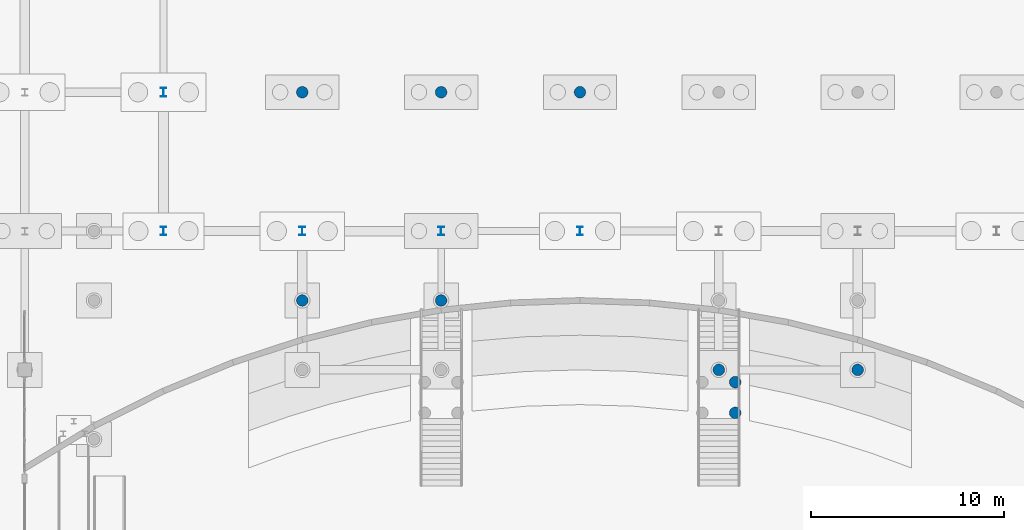
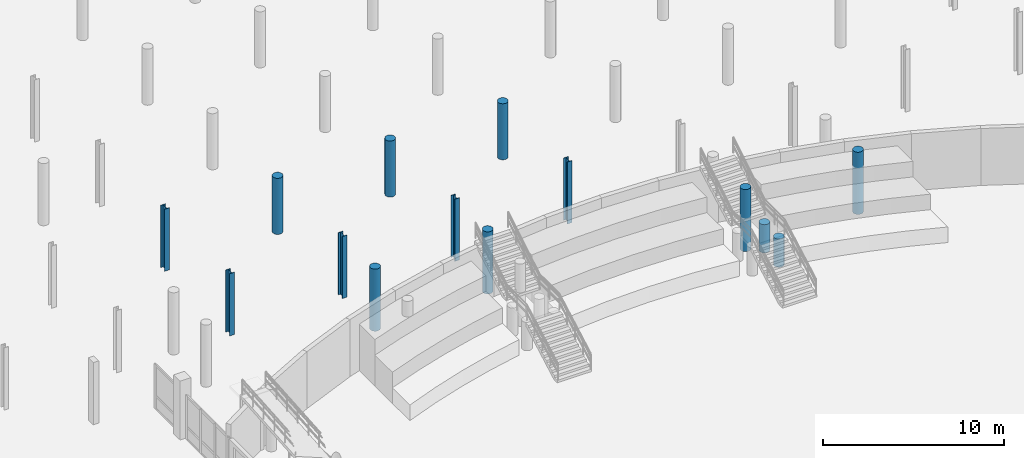
# One storey, part 23 of 56: 14 columns.
"""IFC4 building model written with IfcOpenShell, lengths in metres."""

from ifc_helpers import new_model, si_unit, direction, frame, origin, origin_2d, place, context, subcontext, project, spatial, circle, i_section, extrude, material, material_profile, profile_set, type_object, element, save


model = new_model("IFC4")

# Units and contexts
model_context = context("Model", 3, precision=1e-05, world=origin(), true_north=direction((0.0, 1.0)))
body_context = subcontext(model_context, "Body", "Model", "MODEL_VIEW")
ifc_project = project(units=[si_unit("LENGTHUNIT", "METRE"), si_unit("AREAUNIT", "SQUARE_METRE"), si_unit("VOLUMEUNIT", "CUBIC_METRE"), si_unit("PLANEANGLEUNIT", "RADIAN"), si_unit("MASSUNIT", "GRAM", prefix="KILO")], contexts=[model_context])

# Site, building, storey
site_placement = place(None, origin())
site = spatial("IfcSite", under=ifc_project, at=site_placement, CompositionType="ELEMENT")
building_placement = place(site_placement, origin())
building = spatial("IfcBuilding", under=site, at=building_placement, Name="Suanplinth Sawtooth Commons", CompositionType="ELEMENT")
storey_placement = place(building_placement, frame((0.0, 0.0, -4.199951171875)))
storey = spatial("IfcBuildingStorey", under=building, at=storey_placement, Name="B1", CompositionType="ELEMENT", Elevation=-4.199951171875)

# Columns
ifc_material_1 = material(Name="Concrete C40/50", Category="concrete")
ifc_material_profile_1 = material_profile(ifc_material_1, circle(Radius=0.300048828125, at=origin_2d()), Name="RC-CIRC D600")
ifc_profile_set_1 = profile_set([ifc_material_profile_1], Name="Concrete C40/50")
column_type_1 = type_object("IfcColumnType", Name="C-08", PredefinedType="COLUMN", material=ifc_profile_set_1)
for number, where, z_axis, x_axis, name in (
    (1, (93.60009765625, 43.199951171875, 0.0), (0.0, 0.0, 1.0), (1.0, 0.0, 0.0), "Column B1 14/G"),
    (2, (100.800048828125, 43.199951171875, 0.0), (0.0, 0.0, 1.0), (1.0, 0.0, 0.0), "Column B1 15/G"),
):
    element("IfcColumn", number, at=place(storey_placement, frame(where, z_axis=z_axis, x_axis=x_axis)), inside=storey, type_object=column_type_1, Name=name, PredefinedType="COLUMN", context=body_context, shape_type="SweptSolid", body=[
        extrude(circle(Radius=0.300048828125, at=origin_2d()), origin(), (0.0, 0.0, 1.0), 4.199951171875),
    ])
for number, where, z_axis, x_axis, name in (
    (3, (72.0, 57.60009765625, 0.0), (0.0, 0.0, 1.0), (1.0, 0.0, 0.0), "Substructure Column B1 11/J"),
    (4, (79.199951171875, 57.60009765625, 0.0), (0.0, 0.0, 1.0), (1.0, 0.0, 0.0), "Substructure Column B1 12/J"),
    (5, (86.39990234375, 57.60009765625, 0.0), (0.0, 0.0, 1.0), (1.0, 0.0, 0.0), "Substructure Column B1 13/J"),
):
    element("IfcColumn", number, at=place(storey_placement, frame(where, z_axis=z_axis, x_axis=x_axis)), inside=storey, type_object=column_type_1, Name=name, PredefinedType="COLUMN", context=body_context, shape_type="SweptSolid", body=[
        extrude(circle(Radius=0.300048828125, at=origin_2d()), origin(), (0.0, 0.0, 1.0), 3.7900390625),
    ])
for number, where, z_axis, x_axis, name in (
    (6, (72.0, 46.800048828125, 0.0), (0.0, 0.0, 1.0), (1.0, 0.0, 0.0), "Metro Ridge B1 Pier 11"),
    (7, (79.199951171875, 46.800048828125, 0.0), (0.0, 0.0, 1.0), (1.0, 0.0, 0.0), "Metro Ridge B1 Pier 12"),
):
    element("IfcColumn", number, at=place(storey_placement, frame(where, z_axis=z_axis, x_axis=x_axis)), inside=storey, type_object=column_type_1, Name=name, PredefinedType="COLUMN", context=body_context, shape_type="SweptSolid", body=[
        extrude(circle(Radius=0.300048828125, at=origin_2d()), origin(), (0.0, 0.0, 1.0), 4.199951171875),
    ])
for number, where, z_axis, x_axis, name in (
    (8, (94.449951171875, 40.968994140625, 0.0), (0.0, 0.0, 1.0), (1.0, 0.0, 0.0), "Forecourt Stair Landing Pier 2-2"),
    (9, (94.449951171875, 42.569091796875, 0.0), (0.0, 0.0, 1.0), (1.0, 0.0, 0.0), "Forecourt Stair Landing Pier 2-4"),
):
    element("IfcColumn", number, at=place(storey_placement, frame(where, z_axis=z_axis, x_axis=x_axis)), inside=storey, type_object=column_type_1, Name=name, PredefinedType="COLUMN", context=body_context, shape_type="SweptSolid", body=[
        extrude(circle(Radius=0.300048828125, at=origin_2d()), origin(), (0.0, 0.0, 1.0), 1.909912109375),
    ])
ifc_material_2 = material(Name="Steel S355JR", Category="steel")
ifc_material_profile_2 = material_profile(ifc_material_2, i_section(OverallWidth=0.300048828125, OverallDepth=0.449951171875, WebThickness=0.013916015625, FlangeThickness=0.02587890625, at=origin_2d()), Name="HEB 450")
ifc_profile_set_2 = profile_set([ifc_material_profile_2], Name="Steel S355JR")
column_type_2 = type_object("IfcColumnType", Name="C-09", PredefinedType="COLUMN", material=ifc_profile_set_2)
for number, where, z_axis, x_axis, name in (
    (10, (64.800048828125, 50.39990234375, 0.0), (0.0, 0.0, 1.0), (1.0, 0.0, 0.0), "Column B1 10/H"),
    (11, (64.800048828125, 57.60009765625, 0.0), (0.0, 0.0, 1.0), (1.0, 0.0, 0.0), "Column B1 10/J"),
    (12, (72.0, 50.39990234375, 0.0), (0.0, 0.0, 1.0), (1.0, 0.0, 0.0), "Column B1 11/H"),
    (13, (79.199951171875, 50.39990234375, 0.0), (0.0, 0.0, 1.0), (1.0, 0.0, 0.0), "Column B1 12/H"),
    (14, (86.39990234375, 50.39990234375, 0.0), (0.0, 0.0, 1.0), (1.0, 0.0, 0.0), "Column B1 13/H"),
):
    element("IfcColumn", number, at=place(storey_placement, frame(where, z_axis=z_axis, x_axis=x_axis)), inside=storey, type_object=column_type_2, Name=name, PredefinedType="COLUMN", context=body_context, shape_type="SweptSolid", body=[
        extrude(i_section(OverallWidth=0.300048828125, OverallDepth=0.449951171875, WebThickness=0.013916015625, FlangeThickness=0.02587890625, at=origin_2d()), origin(), (0.0, 0.0, 1.0), 4.199951171875),
    ])

save(model, "model.ifc")
